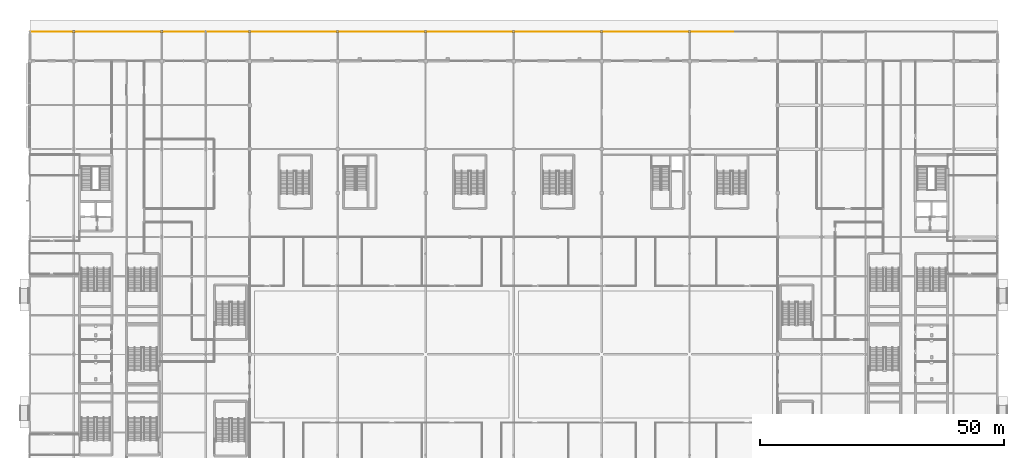
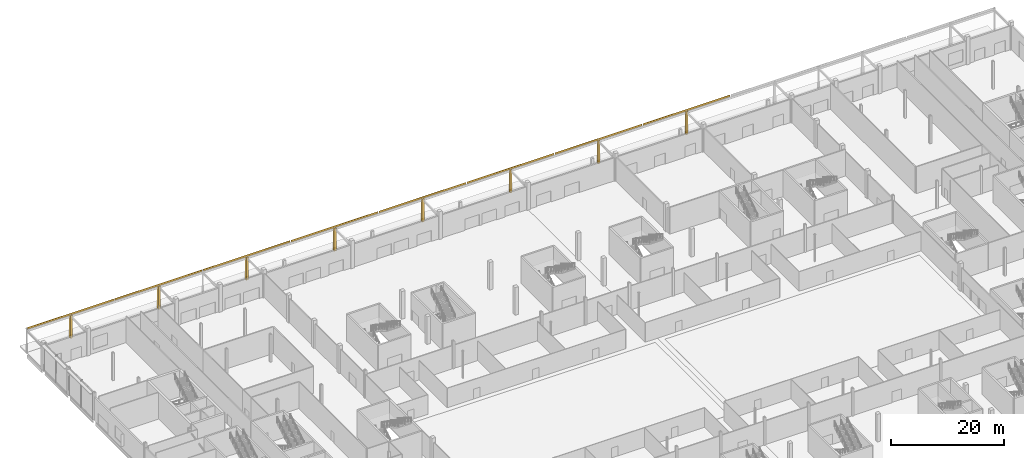
# One storey, part 82 of 84: 16 coverings.
"""IFC4 building model written with IfcOpenShell, lengths in metres."""

import ifcopenshell
import ifcopenshell.guid

model = None  # the IFC model being written
_history = None  # IfcOwnerHistory: only IFC2X3 demands one
_inside = {}  # id of a spatial element -> (the spatial element, [elements in it])
_under = {}  # id of a project, library or spatial element -> (it, [spatial elements below it])
_declared = {}  # id of a project -> (the project, [libraries it declares])
_typed = {}  # id of a type object -> (the type object, [elements of that type])
_made_of = {}  # id of a material, layer set ... -> (it, [elements and type objects made of it])


def new_model(schema):
    """Start an empty IFC model of exactly this schema.

    Asked for "IFC4X3", IfcOpenShell would pick the latest addendum, in which some entities
    have other attributes; the version numbers below select the first issue.
    IFC2X3 requires an IfcOwnerHistory on every rooted entity: one is made here for all.
    """
    global model, _history
    if schema == "IFC4X3":
        model = ifcopenshell.file(schema_version=(4, 3, 0, 0))
    else:
        model = ifcopenshell.file(schema=schema)
    _inside.clear()
    _under.clear()
    _declared.clear()
    _typed.clear()
    _made_of.clear()
    _history = None
    if model.schema == "IFC2X3":
        org = make("IfcOrganization", Name="unknown")
        user = make(
            "IfcPersonAndOrganization",
            ThePerson=make("IfcPerson", FamilyName="unknown"),
            TheOrganization=org,
        )
        app = make(
            "IfcApplication",
            ApplicationDeveloper=org,
            Version="unknown",
            ApplicationFullName="unknown",
            ApplicationIdentifier="unknown",
        )
        _history = make(
            "IfcOwnerHistory",
            OwningUser=user,
            OwningApplication=app,
            ChangeAction="ADDED",
            CreationDate=0,
        )
    return model


def make(cls, **values):
    """One entity of the class cls with the attributes given. An attribute that is None is left unset."""
    return model.create_entity(
        cls, **{name: value for name, value in values.items() if value is not None}
    )


def rooted(cls, **values):
    """An entity with a GlobalId (a new one), such as an element, a storey or a relation."""
    return make(cls, GlobalId=ifcopenshell.guid.new(), OwnerHistory=_history, **values)


def si_unit(unit_type, name, prefix=None):
    """IfcSIUnit, for example si_unit("LENGTHUNIT", "METRE", prefix="MILLI")."""
    return make("IfcSIUnit", UnitType=unit_type, Prefix=prefix, Name=name)


def assignment(units):
    """IfcUnitAssignment: the units of a project."""
    return None if units is None else make("IfcUnitAssignment", Units=units)


def point(xyz):
    """IfcCartesianPoint."""
    return None if xyz is None else make("IfcCartesianPoint", Coordinates=xyz)


def direction(xyz):
    """IfcDirection."""
    return None if xyz is None else make("IfcDirection", DirectionRatios=xyz)


def frame(location, z_axis=None, x_axis=None):
    """IfcAxis2Placement3D, a coordinate frame: its origin and axes. An axis left out is left unset."""
    return make(
        "IfcAxis2Placement3D",
        Location=point(location),
        Axis=direction(z_axis),
        RefDirection=direction(x_axis),
    )


def frame_2d(location, x_axis=None):
    """IfcAxis2Placement2D, a coordinate frame in the plane: its origin and x axis."""
    return make(
        "IfcAxis2Placement2D", Location=point(location), RefDirection=direction(x_axis)
    )


def origin():
    """The frame at (0, 0, 0) with its axes left unset."""
    return frame((0.0, 0.0, 0.0))


def origin_2d():
    """The frame at (0, 0) in the plane with its x axis left unset."""
    return frame_2d((0.0, 0.0))


def place(relative_to, where):
    """IfcLocalPlacement: puts the frame where relative to a parent placement (None: the world)."""
    return make(
        "IfcLocalPlacement", PlacementRelTo=relative_to, RelativePlacement=where
    )


def context(
    kind, dimensions, precision=None, world=None, true_north=None, identifier=None
):
    """IfcGeometricRepresentationContext, for example the 3D "Model" context."""
    return make(
        "IfcGeometricRepresentationContext",
        ContextIdentifier=identifier,
        ContextType=kind,
        CoordinateSpaceDimension=dimensions,
        Precision=precision,
        WorldCoordinateSystem=world,
        TrueNorth=true_north,
    )


def subcontext(parent, identifier, kind, view, scale=None):
    """IfcGeometricRepresentationSubContext, for example "Body" below "Model"."""
    return make(
        "IfcGeometricRepresentationSubContext",
        ContextIdentifier=identifier,
        ContextType=kind,
        ParentContext=parent,
        TargetScale=scale,
        TargetView=view,
    )


def project(units=None, contexts=None):
    """IfcProject with its units and contexts."""
    return rooted(
        "IfcProject",
        Name="project",
        RepresentationContexts=contexts,
        UnitsInContext=assignment(units),
    )


def spatial(cls, under=None, at=None, **own):
    """A site, building, storey or space (cls), placed at a placement, below another one or the project."""
    s = rooted(cls, ObjectPlacement=at, **own)
    if under is not None:
        _under.setdefault(under.id(), (under, []))[1].append(s)
    return s


def profile(cls, at=None, kind="AREA", **sizes):
    """A parametric profile (cls). Its sizes go by their IFC names, for example OverallWidth=200.0."""
    return make(cls, ProfileType=kind, Position=at, **sizes)


def rectangle(**sizes):
    """IfcRectangleProfileDef."""
    return profile("IfcRectangleProfileDef", **sizes)


def extrude(swept, where, along, depth):
    """IfcExtrudedAreaSolid: the profile swept, set in the frame where, extruded along a direction by depth."""
    return make(
        "IfcExtrudedAreaSolid",
        SweptArea=swept,
        Position=where,
        ExtrudedDirection=direction(along),
        Depth=depth,
    )


def shape(context_of_items, identifier, shape_type, items):
    """IfcShapeRepresentation: the items that make up one representation, for example the "Body"."""
    return make(
        "IfcShapeRepresentation",
        ContextOfItems=context_of_items,
        RepresentationIdentifier=identifier,
        RepresentationType=shape_type,
        Items=items,
    )


def material(Name=None, Category=None):
    """IfcMaterial."""
    return make("IfcMaterial", Name=Name, Category=Category)


def layer(
    of_material, thickness, ventilated=None, Name=None, Category=None, Priority=None
):
    """IfcMaterialLayer: one layer of a wall or slab, of a material (None: an air gap)."""
    return make(
        "IfcMaterialLayer",
        Material=of_material,
        LayerThickness=thickness,
        IsVentilated=ventilated,
        Name=Name,
        Category=Category,
        Priority=Priority,
    )


def layer_set(layers, Name=None):
    """IfcMaterialLayerSet."""
    return make("IfcMaterialLayerSet", MaterialLayers=layers, LayerSetName=Name)


def made_of(thing, what):
    """Note that an element or type object is made of a material, layer set ...; save() writes the relation."""
    if what is not None:
        _made_of.setdefault(what.id(), (what, []))[1].append(thing)
    return thing


def type_object(cls, material=None, **own):
    """A type object (cls), such as IfcWallType, which elements share."""
    return made_of(rooted(cls, **own), material)


def element(
    cls,
    number,
    at=None,
    inside=None,
    cuts=None,
    type_object=None,
    material=None,
    context=None,
    identifier="Body",
    shape_type=None,
    held_by="IfcProductDefinitionShape",
    body=None,
    shapes=None,
    **own,
):
    """One element of the class cls, such as IfcWall. Its Tag is "e" and its number.

    at: its placement. inside: the storey or other place that contains it. cuts: it is an
    opening in that element (IfcRelVoidsElement). A single representation is given by context,
    identifier, shape_type and body (its items); several are given by shapes. held_by: the class
    of the entity that holds the representations. save() writes the other relations.
    """
    e = rooted(cls, Tag="e%d" % number, ObjectPlacement=at, **own)
    if body is not None:
        shapes = [shape(context, identifier, shape_type, body)]
    if shapes is not None:
        e.Representation = make(held_by, Representations=shapes)
    if inside is not None:
        _inside.setdefault(inside.id(), (inside, []))[1].append(e)
    if cuts is not None:
        rooted(
            "IfcRelVoidsElement", RelatingBuildingElement=cuts, RelatedOpeningElement=e
        )
    if type_object is not None:
        _typed.setdefault(type_object.id(), (type_object, []))[1].append(e)
    return made_of(e, material)


def aggregate(whole, parts):
    """IfcRelAggregates: a whole, such as a stair, and the parts it consists of."""
    return rooted("IfcRelAggregates", RelatingObject=whole, RelatedObjects=parts)


def save(model, path):
    """Write the relations noted so far, then the file.

    IfcRelAggregates (storeys below a building ...), IfcRelContainedInSpatialStructure (elements
    in a storey), IfcRelDefinesByType, IfcRelAssociatesMaterial and IfcRelDeclares: one each for
    every whole, place, type object, material and project.
    """
    for whole, parts in _under.values():
        aggregate(whole, parts)
    for where, things in _inside.values():
        rooted(
            "IfcRelContainedInSpatialStructure",
            RelatedElements=things,
            RelatingStructure=where,
        )
    for kind, things in _typed.values():
        rooted("IfcRelDefinesByType", RelatedObjects=things, RelatingType=kind)
    for what, things in _made_of.values():
        rooted("IfcRelAssociatesMaterial", RelatedObjects=things, RelatingMaterial=what)
    for by, libraries in _declared.values():
        rooted("IfcRelDeclares", RelatingContext=by, RelatedDefinitions=libraries)
    model.write(path)


model = new_model("IFC4")

# Units and contexts
model_context = context("Model", 3, precision=1e-05, world=origin(), true_north=direction((0.0, 1.0)))
body_context = subcontext(model_context, "Body", "Model", "MODEL_VIEW")
ifc_project = project(units=[si_unit("LENGTHUNIT", "METRE"), si_unit("AREAUNIT", "SQUARE_METRE"), si_unit("VOLUMEUNIT", "CUBIC_METRE"), si_unit("PLANEANGLEUNIT", "RADIAN"), si_unit("MASSUNIT", "GRAM", prefix="KILO")], contexts=[model_context])

# Site, building, storey
site_placement = place(None, origin())
site = spatial("IfcSite", under=ifc_project, at=site_placement, CompositionType="ELEMENT")
building_placement = place(site_placement, origin())
building = spatial("IfcBuilding", under=site, at=building_placement, Name="Kisiwana Market Hall", CompositionType="ELEMENT")
storey_placement = place(building_placement, origin())
storey = spatial("IfcBuildingStorey", under=building, at=storey_placement, Name="L00", CompositionType="ELEMENT", Elevation=0.0)

# Coverings
ifc_material_1 = material(Name="Aluminium alloy 6063-T6", Category="aluminium")
ifc_layer_1 = layer(ifc_material_1, 0.030029296875)
ifc_layer_set_1 = layer_set([ifc_layer_1], Name="COV-CLAD-ALU")
covering_type_1 = type_object("IfcCoveringType", Name="COV-CLAD-ALU", PredefinedType="CLADDING", material=ifc_layer_set_1)
for number, where, z_axis, x_axis, name in (
    (1, (9.0, 126.0, 0.010009765625), (0.0, 0.0, 1.0), (1.0, 0.0, 0.0), "Colonnade column cladding 01"),
    (2, (27.0, 126.0, 0.010009765625), (0.0, 0.0, 1.0), (1.0, 0.0, 0.0), "Colonnade column cladding 02"),
    (3, (45.0, 126.0, 0.010009765625), (0.0, 0.0, 1.0), (1.0, 0.0, 0.0), "Colonnade column cladding 03"),
    (4, (63.0, 126.0, 0.010009765625), (0.0, 0.0, 1.0), (1.0, 0.0, 0.0), "Colonnade column cladding 04"),
    (5, (81.0, 126.0, 0.010009765625), (0.0, 0.0, 1.0), (1.0, 0.0, 0.0), "Colonnade column cladding 05"),
    (6, (99.0, 126.0, 0.010009765625), (0.0, 0.0, 1.0), (1.0, 0.0, 0.0), "Colonnade column cladding 06"),
    (7, (117.0, 126.0, 0.010009765625), (0.0, 0.0, 1.0), (1.0, 0.0, 0.0), "Colonnade column cladding 07"),
    (8, (135.0, 126.0, 0.010009765625), (0.0, 0.0, 1.0), (1.0, 0.0, 0.0), "Colonnade column cladding 08"),
):
    element("IfcCovering", number, at=place(storey_placement, frame(where, z_axis=z_axis, x_axis=x_axis)), inside=storey, type_object=covering_type_1, Name=name, PredefinedType="CLADDING", context=body_context, shape_type="SweptSolid", body=[
        extrude(rectangle(XDim=0.419921875, YDim=0.419921875, at=origin_2d()), origin(), (0.0, 0.0, 1.0), 4.97998046875),
    ])
ifc_material_2 = material(Name="Steel S275", Category="steel")
ifc_layer_2 = layer(ifc_material_2, 0.01611328125)
ifc_layer_set_2 = layer_set([ifc_layer_2], Name="COV-CLAD-FASCIA")
covering_type_2 = type_object("IfcCoveringType", Name="COV-CLAD-FASCIA", PredefinedType="CLADDING", material=ifc_layer_set_2)
for number, where, z_axis, x_axis, name in (
    (9, (9.0, 126.008056640625, 4.93994140625), (0.0, 0.0, 1.0), (1.0, 0.0, 0.0), "North Avenue canopy fascia cladding COV-FASC-001"),
    (10, (27.0, 126.008056640625, 4.93994140625), (0.0, 0.0, 1.0), (1.0, 0.0, 0.0), "North Avenue canopy fascia cladding COV-FASC-002"),
    (11, (45.0, 126.008056640625, 4.93994140625), (0.0, 0.0, 1.0), (1.0, 0.0, 0.0), "North Avenue canopy fascia cladding COV-FASC-003"),
    (12, (63.0, 126.008056640625, 4.93994140625), (0.0, 0.0, 1.0), (1.0, 0.0, 0.0), "North Avenue canopy fascia cladding COV-FASC-004"),
    (13, (81.0, 126.008056640625, 4.93994140625), (0.0, 0.0, 1.0), (1.0, 0.0, 0.0), "North Avenue canopy fascia cladding COV-FASC-005"),
    (14, (99.0, 126.008056640625, 4.93994140625), (0.0, 0.0, 1.0), (1.0, 0.0, 0.0), "North Avenue canopy fascia cladding COV-FASC-006"),
    (15, (117.0, 126.008056640625, 4.93994140625), (0.0, 0.0, 1.0), (1.0, 0.0, 0.0), "North Avenue canopy fascia cladding COV-FASC-007"),
    (16, (135.0, 126.008056640625, 4.93994140625), (0.0, 0.0, 1.0), (1.0, 0.0, 0.0), "North Avenue canopy fascia cladding COV-FASC-008"),
):
    element("IfcCovering", number, at=place(storey_placement, frame(where, z_axis=z_axis, x_axis=x_axis)), inside=storey, type_object=covering_type_2, Name=name, PredefinedType="CLADDING", context=body_context, shape_type="SweptSolid", body=[
        extrude(rectangle(XDim=17.800048828125, YDim=0.01611328125, at=origin_2d()), origin(), (0.0, 0.0, 1.0), 0.419921875),
    ])

save(model, "model.ifc")
